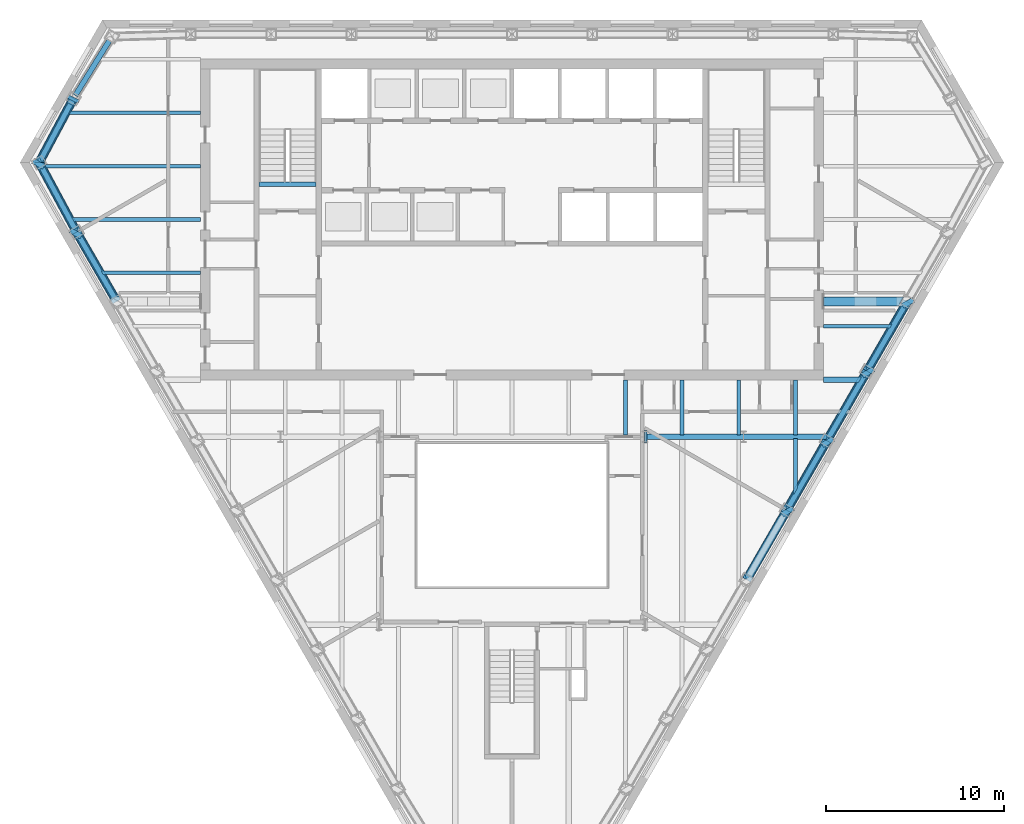
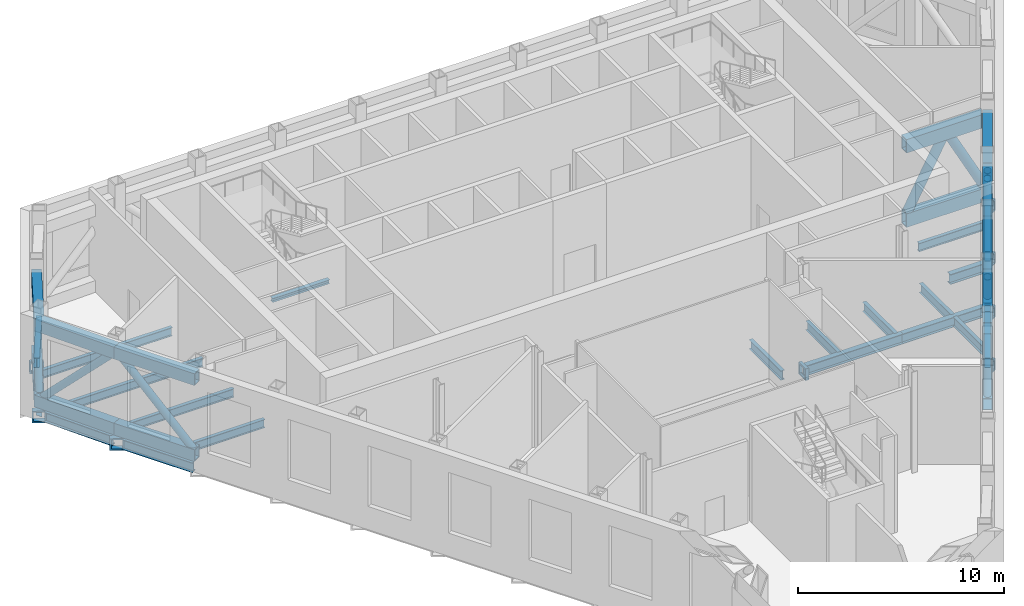
# One storey, part 4 of 15: 29 beams, 25 members.
"""IFC4 building model written with IfcOpenShell, lengths in metres."""

from ifc_helpers import new_model, si_unit, direction, frame, origin, origin_2d, place, context, subcontext, project, spatial, hollow_rectangle, hollow_circle, i_section, extrude, clip, halfspace, material, material_profile, profile_set, type_object, element, save


model = new_model("IFC4")

# Units and contexts
model_context = context("Model", 3, precision=1e-05, world=origin(), true_north=direction((0.0, 1.0)))
body_context = subcontext(model_context, "Body", "Model", "MODEL_VIEW")
ifc_project = project(units=[si_unit("LENGTHUNIT", "METRE"), si_unit("AREAUNIT", "SQUARE_METRE"), si_unit("VOLUMEUNIT", "CUBIC_METRE"), si_unit("PLANEANGLEUNIT", "RADIAN"), si_unit("MASSUNIT", "GRAM", prefix="KILO")], contexts=[model_context])

# Site, building, storey
site_placement = place(None, origin())
site = spatial("IfcSite", under=ifc_project, at=site_placement, CompositionType="ELEMENT")
building_placement = place(site_placement, origin())
building = spatial("IfcBuilding", under=site, at=building_placement, Name="Njiva Tower", CompositionType="ELEMENT")
storey_placement = place(building_placement, frame((0.0, 0.0, 133.8)))
storey = spatial("IfcBuildingStorey", under=building, at=storey_placement, Name="L28", CompositionType="ELEMENT", Elevation=133.8)

# Beams
ifc_material_1 = material(Name="Steel S355 J2", Category="steel")
ifc_material_profile_1 = material_profile(ifc_material_1, hollow_rectangle(XDim=0.7, YDim=0.7, WallThickness=0.08, at=origin_2d()), Name="BOX 700x700x80")
ifc_profile_set_1 = profile_set([ifc_material_profile_1], Name="Steel S355 J2")
beam_type_1 = type_object("IfcBeamType", Name="B19 Column jog beam BOX 700x700x80", PredefinedType="BEAM", material=ifc_profile_set_1)
beam_1_placement = place(storey_placement, frame((-24.689, 15.668, -0.55), z_axis=(0.45494050276, 0.890521835189, 0.0), x_axis=(-0.890521835189, 0.45494050276, 0.0)))
element("IfcBeam", 1, at=beam_1_placement, inside=storey, type_object=beam_type_1, Name="Column jog beam T2-B022", PredefinedType="BEAM", context=body_context, shape_type="SweptSolid", body=[
    extrude(hollow_rectangle(XDim=0.7, YDim=0.7, WallThickness=0.08, at=origin_2d()), origin(), (0.0, 0.0, 1.0), 0.2066),
])
beam_2_placement = place(storey_placement, frame((-26.662, 11.989, -0.55), z_axis=(0.479086844992, 0.877767506209, 0.0), x_axis=(-0.877767506209, 0.479086844992, 0.0)))
element("IfcBeam", 2, at=beam_2_placement, inside=storey, type_object=beam_type_1, Name="Column jog beam T2-B021", PredefinedType="BEAM", context=body_context, shape_type="SweptSolid", body=[
    extrude(hollow_rectangle(XDim=0.7, YDim=0.7, WallThickness=0.08, at=origin_2d()), origin(), (0.0, 0.0, 1.0), 0.2985),
])
beam_3_placement = place(storey_placement, frame((-24.561, 8.085, -0.55), z_axis=(0.480499251108, 0.876995136637, 0.0), x_axis=(-0.876995136637, 0.480499251108, 0.0)))
element("IfcBeam", 3, at=beam_3_placement, inside=storey, type_object=beam_type_1, Name="Column jog beam T2-B023", PredefinedType="BEAM", context=body_context, shape_type="SweptSolid", body=[
    extrude(hollow_rectangle(XDim=0.7, YDim=0.7, WallThickness=0.08, at=origin_2d()), origin(), (0.0, 0.0, 1.0), 0.2976),
])
beam_4_placement = place(storey_placement, frame((15.547, -7.529, -0.55), z_axis=(-0.497961879688, 0.867198919728, 0.0), x_axis=(-0.867198919728, -0.497961879688, 0.0)))
element("IfcBeam", 4, at=beam_4_placement, inside=storey, type_object=beam_type_1, Name="Column jog beam T2-B043", PredefinedType="BEAM", context=body_context, shape_type="SweptSolid", body=[
    extrude(hollow_rectangle(XDim=0.7, YDim=0.7, WallThickness=0.08, at=origin_2d()), origin(), (0.0, 0.0, 1.0), 0.2952),
])
for number, where, z_axis, x_axis, name in (
    (5, (17.801, -3.625, -0.55), (-0.496502633012, 0.868035215537, 0.0), (-0.868035215537, -0.496502633012, 0.0), "Column jog beam T2-B044"),
    (6, (20.055, 0.279, -0.55), (-0.496502633012, 0.868035215537, 0.0), (-0.868035215537, -0.496502633012, 0.0), "Column jog beam T2-B045"),
):
    element("IfcBeam", number, at=place(storey_placement, frame(where, z_axis=z_axis, x_axis=x_axis)), inside=storey, type_object=beam_type_1, Name=name, PredefinedType="BEAM", context=body_context, shape_type="SweptSolid", body=[
        extrude(hollow_rectangle(XDim=0.7, YDim=0.7, WallThickness=0.08, at=origin_2d()), origin(), (0.0, 0.0, 1.0), 0.2961),
    ])
beam_5_placement = place(storey_placement, frame((22.308, 4.183, -0.55), z_axis=(-0.487366159264, 0.873197702015, 0.0), x_axis=(-0.873197702015, -0.487366159264, 0.0)))
element("IfcBeam", 7, at=beam_5_placement, inside=storey, type_object=beam_type_1, Name="Column jog beam T2-B046", PredefinedType="BEAM", context=body_context, shape_type="SweptSolid", body=[
    extrude(hollow_rectangle(XDim=0.7, YDim=0.7, WallThickness=0.08, at=origin_2d()), origin(), (0.0, 0.0, 1.0), 0.2955),
])
beam_6_placement = place(storey_placement, frame((7.57, -3.2, -0.55), z_axis=(-1.0, 0.0, 0.0), x_axis=(0.0, -1.0, 0.0)))
element("IfcBeam", 8, at=beam_6_placement, inside=storey, type_object=beam_type_1, Name="Column jog beam T2-B039", PredefinedType="BEAM", context=body_context, shape_type="SweptSolid", body=[
    extrude(hollow_rectangle(XDim=0.7, YDim=0.7, WallThickness=0.08, at=origin_2d()), origin(), (0.0, 0.0, 1.0), 0.17),
])
ifc_material_profile_2 = material_profile(ifc_material_1, i_section(OverallWidth=0.2, OverallDepth=0.5, WebThickness=0.0102, FlangeThickness=0.016, at=origin_2d()), Name="IPE 500")
ifc_profile_set_2 = profile_set([ifc_material_profile_2], Name="Steel S355 J2")
beam_type_2 = type_object("IfcBeamType", Name="B24 Floor beam to the core IPE 500", PredefinedType="BEAM", material=ifc_profile_set_2)
beam_7_placement = place(storey_placement, frame((-23.085, 6.0, -0.45), z_axis=(1.0, 0.0, 0.0), x_axis=(0.0, 1.0, 0.0)))
element("IfcBeam", 9, at=beam_7_placement, inside=storey, type_object=beam_type_2, Name="Floor beam to the core T2-B005", PredefinedType="BEAM", context=body_context, shape_type="Clipping", body=[
    clip(extrude(i_section(OverallWidth=0.2, OverallDepth=0.5, WebThickness=0.0102, FlangeThickness=0.016, at=origin_2d()), origin(), (0.0, 0.0, 1.0), 5.585), halfspace(frame((-0.025, 0.0, 0.092), z_axis=(-0.499998009787, 0.0, -0.866026552831), x_axis=(0.0, -1.0, 0.0)), False)),
])
beam_8_placement = place(storey_placement, frame((-24.788, 9.0, -0.45), z_axis=(1.0, 0.0, 0.0), x_axis=(0.0, 1.0, 0.0)))
element("IfcBeam", 10, at=beam_8_placement, inside=storey, type_object=beam_type_2, Name="Floor beam to the core T2-B003", PredefinedType="BEAM", context=body_context, shape_type="Clipping", body=[
    clip(extrude(i_section(OverallWidth=0.2, OverallDepth=0.5, WebThickness=0.0102, FlangeThickness=0.016, at=origin_2d()), origin(), (0.0, 0.0, 1.0), 7.288), halfspace(frame((-0.0237, 0.0, 0.0872), z_axis=(-0.473777178452, 0.0, -0.88064475538), x_axis=(0.0, -1.0, 0.0)), False)),
])
beam_9_placement = place(storey_placement, frame((-26.34, 12.0, -0.45), z_axis=(1.0, 0.0, 0.0), x_axis=(0.0, 1.0, 0.0)))
element("IfcBeam", 11, at=beam_9_placement, inside=storey, type_object=beam_type_2, Name="Floor beam to the core T2-B001", PredefinedType="BEAM", context=body_context, shape_type="Clipping", body=[
    clip(extrude(i_section(OverallWidth=0.2, OverallDepth=0.5, WebThickness=0.0102, FlangeThickness=0.016, at=origin_2d()), origin(), (0.0, 0.0, 1.0), 8.84), halfspace(frame((-0.025, 0.0, 0.0921), z_axis=(-0.499998009787, 0.0, -0.866026552831), x_axis=(0.0, -1.0, 0.0)), False)),
])
beam_10_placement = place(storey_placement, frame((-25.009, 15.0, -0.45), z_axis=(1.0, 0.0, 0.0), x_axis=(0.0, 1.0, 0.0)))
element("IfcBeam", 12, at=beam_10_placement, inside=storey, type_object=beam_type_2, Name="Floor beam to the core T2-B002", PredefinedType="BEAM", context=body_context, shape_type="Clipping", body=[
    clip(extrude(i_section(OverallWidth=0.2, OverallDepth=0.5, WebThickness=0.0102, FlangeThickness=0.016, at=origin_2d()), origin(), (0.0, 0.0, 1.0), 7.509), halfspace(frame((0.0236, 0.0, 0.0856), z_axis=(0.471502520282, 0.0, -0.881864713756), x_axis=(0.0, -1.0, 0.0)), False)),
])
ifc_material_profile_3 = material_profile(ifc_material_1, i_section(OverallWidth=0.2, OverallDepth=0.5, WebThickness=0.0102, FlangeThickness=0.016, at=origin_2d()), Name="IPE 500")
ifc_profile_set_3 = profile_set([ifc_material_profile_3], Name="Steel S355 J2")
beam_type_3 = type_object("IfcBeamType", Name="B25 Short-span floor beam to the core IPE 500", PredefinedType="BEAM", material=ifc_profile_set_3)
beam_11_placement = place(storey_placement, frame((17.5, 3.0, -0.45), z_axis=(1.0, 0.0, 0.0), x_axis=(0.0, 1.0, 0.0)))
element("IfcBeam", 13, at=beam_11_placement, inside=storey, type_object=beam_type_3, Name="Short-span floor beam to the core T2-B007", PredefinedType="BEAM", context=body_context, shape_type="Clipping", body=[
    clip(extrude(i_section(OverallWidth=0.2, OverallDepth=0.5, WebThickness=0.0102, FlangeThickness=0.016, at=origin_2d()), origin(), (0.0, 0.0, 1.0), 3.853), halfspace(frame((-0.025, 0.0, 3.7609), z_axis=(-0.499998009787, 0.0, 0.866026552831), x_axis=(0.0, 1.0, 0.0)), False)),
])
ifc_material_profile_4 = material_profile(ifc_material_1, i_section(OverallWidth=0.3, OverallDepth=0.59, WebThickness=0.013, FlangeThickness=0.025, at=origin_2d()), Name="HEA 600")
ifc_profile_set_4 = profile_set([ifc_material_profile_4], Name="Steel S355 J2")
beam_type_4 = type_object("IfcBeamType", Name="B27 Short-span spandrel beam HEA 600", PredefinedType="SPANDREL", material=ifc_profile_set_4)
beam_12_placement = place(storey_placement, frame((-22.612, 19.032, -0.495), z_axis=(-0.528058140476, -0.849208219624, 0.0), x_axis=(0.849208219624, -0.528058140476, 0.0)))
element("IfcBeam", 14, at=beam_12_placement, inside=storey, type_object=beam_type_4, Name="Short-span spandrel beam T2-B080", PredefinedType="SPANDREL", context=body_context, shape_type="SweptSolid", body=[
    extrude(i_section(OverallWidth=0.3, OverallDepth=0.59, WebThickness=0.013, FlangeThickness=0.025, at=origin_2d()), origin(), (0.0, 0.0, 1.0), 3.6151),
])
beam_13_placement = place(storey_placement, frame((-24.795, 15.476, -0.495), z_axis=(-0.471437841785, -0.881899292058, 0.0), x_axis=(0.881899292058, -0.471437841785, 0.0)))
element("IfcBeam", 15, at=beam_13_placement, inside=storey, type_object=beam_type_4, Name="Short-span spandrel beam T2-B078", PredefinedType="SPANDREL", context=body_context, shape_type="Clipping", body=[
    clip(extrude(i_section(OverallWidth=0.3, OverallDepth=0.59, WebThickness=0.013, FlangeThickness=0.025, at=origin_2d()), origin(), (0.0, 0.0, 1.0), 3.6554), halfspace(frame((-0.0266, 0.0, 3.5264), z_axis=(-0.528030221215, 0.0, 0.849225579857), x_axis=(0.0, 1.0, 0.0)), False)),
])
beam_14_placement = place(storey_placement, frame((-26.372, 11.871, -0.495), z_axis=(0.473945962598, -0.88055393051, 0.0), x_axis=(0.88055393051, 0.473945962598, 0.0)))
element("IfcBeam", 16, at=beam_14_placement, inside=storey, type_object=beam_type_4, Name="Short-span spandrel beam T2-B079", PredefinedType="SPANDREL", context=body_context, shape_type="SweptSolid", body=[
    extrude(i_section(OverallWidth=0.3, OverallDepth=0.59, WebThickness=0.013, FlangeThickness=0.025, at=origin_2d()), origin(), (0.0, 0.0, 1.0), 3.876),
])
beam_15_placement = place(storey_placement, frame((-24.263, 7.976, -0.495), z_axis=(0.499890179513, -0.866088799389, 0.0), x_axis=(0.866088799389, 0.499890179513, 0.0)))
element("IfcBeam", 17, at=beam_15_placement, inside=storey, type_object=beam_type_4, Name="Short-span spandrel beam T2-B081", PredefinedType="SPANDREL", context=body_context, shape_type="SweptSolid", body=[
    extrude(i_section(OverallWidth=0.3, OverallDepth=0.59, WebThickness=0.013, FlangeThickness=0.025, at=origin_2d()), origin(), (0.0, 0.0, 1.0), 3.9569),
])
for number, where, z_axis, x_axis, name in (
    (18, (15.523, -7.163, -0.495), (0.499970304126, 0.866042548026, 0.0), (-0.866042548026, 0.499970304126, 0.0), "Short-span spandrel beam T2-B106"),
    (19, (17.777, -3.259, -0.495), (0.499970304126, 0.866042548026, 0.0), (-0.866042548026, 0.499970304126, 0.0), "Short-span spandrel beam T2-B107"),
    (20, (20.031, 0.645, -0.495), (0.499970304126, 0.866042548026, 0.0), (-0.866042548026, 0.499970304126, 0.0), "Short-span spandrel beam T2-B109"),
):
    element("IfcBeam", number, at=place(storey_placement, frame(where, z_axis=z_axis, x_axis=x_axis)), inside=storey, type_object=beam_type_4, Name=name, PredefinedType="SPANDREL", context=body_context, shape_type="SweptSolid", body=[
        extrude(i_section(OverallWidth=0.3, OverallDepth=0.59, WebThickness=0.013, FlangeThickness=0.025, at=origin_2d()), origin(), (0.0, 0.0, 1.0), 3.9582),
    ])
ifc_material_profile_5 = material_profile(ifc_material_1, i_section(OverallWidth=0.3, OverallDepth=0.59, WebThickness=0.013, FlangeThickness=0.025, at=origin_2d()), Name="HEA 600")
ifc_profile_set_5 = profile_set([ifc_material_profile_5], Name="Steel S355 J2")
beam_type_5 = type_object("IfcBeamType", Name="B28 Floor girder HEA 600", PredefinedType="BEAM", material=ifc_profile_set_5)
beam_16_placement = place(storey_placement, frame((7.46, -3.2, -0.495), z_axis=(1.0, 0.0, 0.0), x_axis=(0.0, 1.0, 0.0)))
element("IfcBeam", 21, at=beam_16_placement, inside=storey, type_object=beam_type_5, Name="Floor girder T2-B018", PredefinedType="BEAM", context=body_context, shape_type="SweptSolid", body=[
    extrude(i_section(OverallWidth=0.3, OverallDepth=0.59, WebThickness=0.013, FlangeThickness=0.025, at=origin_2d()), origin(), (0.0, 0.0, 1.0), 5.54),
])
beam_17_placement = place(storey_placement, frame((13.0, -3.2, -0.495), z_axis=(1.0, 0.0, 0.0), x_axis=(0.0, 1.0, 0.0)))
element("IfcBeam", 22, at=beam_17_placement, inside=storey, type_object=beam_type_5, Name="Floor girder T2-B019", PredefinedType="BEAM", context=body_context, shape_type="Clipping", body=[
    clip(extrude(i_section(OverallWidth=0.3, OverallDepth=0.59, WebThickness=0.013, FlangeThickness=0.025, at=origin_2d()), origin(), (0.0, 0.0, 1.0), 4.803), halfspace(frame((-0.025, 0.0, 4.6813), z_axis=(-0.499998009787, 0.0, 0.866026552831), x_axis=(0.0, 1.0, 0.0)), False)),
])
ifc_material_profile_6 = material_profile(ifc_material_1, i_section(OverallWidth=0.3, OverallDepth=0.59, WebThickness=0.013, FlangeThickness=0.025, at=origin_2d()), Name="HEA 600")
ifc_profile_set_6 = profile_set([ifc_material_profile_6], Name="Steel S355 J2")
beam_type_6 = type_object("IfcBeamType", Name="B29 Short-span floor girder HEA 600", PredefinedType="BEAM", material=ifc_profile_set_6)
beam_18_placement = place(storey_placement, frame((17.5, 0.0, -0.495), z_axis=(1.0, 0.0, 0.0), x_axis=(0.0, 1.0, 0.0)))
element("IfcBeam", 23, at=beam_18_placement, inside=storey, type_object=beam_type_6, Name="Short-span floor girder T2-B020", PredefinedType="BEAM", context=body_context, shape_type="Clipping", body=[
    clip(extrude(i_section(OverallWidth=0.3, OverallDepth=0.59, WebThickness=0.013, FlangeThickness=0.025, at=origin_2d()), origin(), (0.0, 0.0, 1.0), 2.15), halfspace(frame((-0.025, 0.0, 2.0289), z_axis=(-0.499998009787, 0.0, 0.866026552831), x_axis=(0.0, 1.0, 0.0)), False)),
])
ifc_material_profile_7 = material_profile(ifc_material_1, i_section(OverallWidth=0.21, OverallDepth=0.55, WebThickness=0.0111, FlangeThickness=0.0172, at=origin_2d()), Name="IPE 550")
ifc_profile_set_7 = profile_set([ifc_material_profile_7], Name="Steel S355 J2")
beam_type_7 = type_object("IfcBeamType", Name="B31 Short-span floor joist IPE 550", PredefinedType="JOIST", material=ifc_profile_set_7)
beam_19_placement = place(storey_placement, frame((6.367, -0.005, -0.475), z_axis=(0.0, -1.0, 0.0), x_axis=(1.0, 0.0, 0.0)))
element("IfcBeam", 24, at=beam_19_placement, inside=storey, type_object=beam_type_7, Name="Short-span floor joist T2-B066", PredefinedType="JOIST", context=body_context, shape_type="SweptSolid", body=[
    extrude(i_section(OverallWidth=0.21, OverallDepth=0.55, WebThickness=0.0111, FlangeThickness=0.0172, at=origin_2d()), origin(), (0.0, 0.0, 1.0), 3.094),
])
for number, where, z_axis, x_axis, name in (
    (25, (9.55, -0.005, -0.475), (0.0, -1.0, 0.0), (1.0, 0.0, 0.0), "Short-span floor joist T2-B069"),
    (26, (12.733, -0.005, -0.475), (0.0, -1.0, 0.0), (1.0, 0.0, 0.0), "Short-span floor joist T2-B071"),
    (27, (15.917, -0.005, -0.475), (0.0, -1.0, 0.0), (1.0, 0.0, 0.0), "Short-span floor joist T2-B073"),
):
    element("IfcBeam", number, at=place(storey_placement, frame(where, z_axis=z_axis, x_axis=x_axis)), inside=storey, type_object=beam_type_7, Name=name, PredefinedType="JOIST", context=body_context, shape_type="SweptSolid", body=[
        extrude(i_section(OverallWidth=0.21, OverallDepth=0.55, WebThickness=0.0111, FlangeThickness=0.0172, at=origin_2d()), origin(), (0.0, 0.0, 1.0), 3.095),
    ])
beam_20_placement = place(storey_placement, frame((15.917, -3.3, -0.475), z_axis=(0.0, -1.0, 0.0), x_axis=(1.0, 0.0, 0.0)))
element("IfcBeam", 28, at=beam_20_placement, inside=storey, type_object=beam_type_7, Name="Short-span floor joist T2-B072", PredefinedType="JOIST", context=body_context, shape_type="Clipping", body=[
    clip(extrude(i_section(OverallWidth=0.21, OverallDepth=0.55, WebThickness=0.0111, FlangeThickness=0.0172, at=origin_2d()), origin(), (0.0, 0.0, 1.0), 3.184), halfspace(frame((0.043, 0.0, 2.9065), z_axis=(0.866026552831, 0.0, 0.499998009787), x_axis=(0.0, 1.0, 0.0)), False)),
])
ifc_material_profile_8 = material_profile(ifc_material_1, i_section(OverallWidth=0.24, OverallDepth=0.23, WebThickness=0.0075, FlangeThickness=0.012, at=origin_2d()), Name="HEA240")
ifc_profile_set_8 = profile_set([ifc_material_profile_8], Name="Steel S355 J2")
beam_type_8 = type_object("IfcBeamType", Name="FL8 Landing beam HEA 240", PredefinedType="BEAM", material=ifc_profile_set_8)
beam_21_placement = place(storey_placement, frame((-14.206, 10.98, 2.685), z_axis=(1.0, 0.0, 0.0), x_axis=(0.0, 1.0, 0.0)))
element("IfcBeam", 29, at=beam_21_placement, inside=storey, type_object=beam_type_8, Name="Landing beam", PredefinedType="BEAM", context=body_context, shape_type="SweptSolid", body=[
    extrude(i_section(OverallWidth=0.24, OverallDepth=0.23, WebThickness=0.0075, FlangeThickness=0.012, at=origin_2d()), origin(), (0.0, 0.0, 1.0), 3.212),
])

# Members
ifc_material_profile_9 = material_profile(ifc_material_1, hollow_rectangle(XDim=0.5, YDim=0.8, WallThickness=0.05, at=origin_2d()), Name="BOX 800x500x50")
ifc_profile_set_9 = profile_set([ifc_material_profile_9], Name="Steel S355 J2")
member_type_1 = type_object("IfcMemberType", Name="OR1 Outrigger truss chord BOX 800x500x50", PredefinedType="CHORD", material=ifc_profile_set_9)
for number, where, z_axis, x_axis, name in (
    (30, (17.5, 4.389, 0.4), (1.0, 0.0, 0.0), (0.0, 1.0, 0.0), "Outrigger truss chord T2-TR113"),
    (31, (17.5, 4.389, 4.81), (1.0, 0.0, 0.0), (0.0, 1.0, 0.0), "Outrigger truss chord T2-TR114"),
):
    element("IfcMember", number, at=place(storey_placement, frame(where, z_axis=z_axis, x_axis=x_axis)), inside=storey, type_object=member_type_1, Name=name, PredefinedType="CHORD", context=body_context, shape_type="Clipping", body=[
        clip(extrude(hollow_rectangle(XDim=0.5, YDim=0.8, WallThickness=0.05, at=origin_2d()), origin(), (0.0, 0.0, 1.0), 4.867), halfspace(frame((-0.025, 0.0, 4.3322), z_axis=(-0.499998009787, 0.0, 0.866026552831), x_axis=(0.0, 1.0, 0.0)), False)),
    ])
ifc_material_2 = material(Name="Steel S355 J2H", Category="steel")
ifc_material_profile_10 = material_profile(ifc_material_2, hollow_circle(Radius=0.254, WallThickness=0.016, at=origin_2d()), Name="CHS 508x16")
ifc_profile_set_10 = profile_set([ifc_material_profile_10], Name="Steel S355 J2H")
member_type_2 = type_object("IfcMemberType", Name="OR2 Outrigger truss diagonal CHS 508x16", PredefinedType="BRACE", material=ifc_profile_set_10)
member_1_placement = place(storey_placement, frame((17.2609, 4.389, -0.0494), z_axis=(0.469652813312, 0.0, 0.882851196379), x_axis=(0.0, 1.0, 0.0)))
element("IfcMember", 32, at=member_1_placement, inside=storey, type_object=member_type_2, Name="Outrigger truss diagonal T2-TR115", PredefinedType="BRACE", context=body_context, shape_type="Clipping", body=[
    clip(clip(clip(extrude(hollow_circle(Radius=0.254, WallThickness=0.016, at=origin_2d()), origin(), (0.0, 0.0, 1.0), 5.6702), halfspace(frame((-4.389, 15.6331, -7.3656), z_axis=(0.0, -0.469652813312, -0.882851196379), x_axis=(0.0, -0.882851196379, 0.469652813312)), False)), halfspace(frame((0.0, -63.0274, -117.9696), z_axis=(0.0, 0.882851196379, -0.469652813312), x_axis=(0.0, -0.469652813312, -0.882851196379)), False)), halfspace(frame((-4.389, 17.3379, -4.1609), z_axis=(0.0, 0.469652813312, 0.882851196379), x_axis=(0.0, 0.882851196379, -0.469652813312)), False)),
])
member_2_placement = place(storey_placement, frame((19.768, 4.389, 4.9565), z_axis=(0.469808826994, 0.0, -0.882768183658), x_axis=(0.0, 1.0, 0.0)))
element("IfcMember", 33, at=member_2_placement, inside=storey, type_object=member_type_2, Name="Outrigger truss diagonal T2-TR116", PredefinedType="BRACE", context=body_context, shape_type="Clipping", body=[
    clip(clip(clip(extrude(hollow_circle(Radius=0.254, WallThickness=0.016, at=origin_2d()), origin(), (0.0, 0.0, 1.0), 5.7646), halfspace(frame((-4.389, -17.7026, -8.8135), z_axis=(0.0, 0.469808826994, -0.882768183658), x_axis=(0.0, -0.882768183658, -0.469808826994)), False)), halfspace(frame((-4.389, -19.408, -5.6091), z_axis=(0.0, -0.469808826994, 0.882768183658), x_axis=(0.0, 0.882768183658, 0.469808826994)), False)), halfspace(frame((-0.025, -0.3185, 4.9921), z_axis=(-0.499998009787, 0.764500687042, 0.406866918932), x_axis=(0.0, 0.469808826994, -0.882768183658)), False)),
])
ifc_material_profile_11 = material_profile(ifc_material_1, hollow_rectangle(XDim=0.5, YDim=0.7, WallThickness=0.04, at=origin_2d()), Name="BOX 700x500x40")
ifc_profile_set_11 = profile_set([ifc_material_profile_11], Name="Steel S355 J2")
member_type_3 = type_object("IfcMemberType", Name="TC2 Belt truss chord BOX 700x500x40", PredefinedType="CHORD", material=ifc_profile_set_11)
member_3_placement = place(storey_placement, frame((-24.6041, 15.8325, 0.35), z_axis=(-0.471630110482, -0.881796483825, 0.0), x_axis=(0.881796483825, -0.471630110482, 0.0)))
element("IfcMember", 34, at=member_3_placement, inside=storey, type_object=member_type_3, Name="Belt truss chord T2-TR034", PredefinedType="CHORD", context=body_context, shape_type="Clipping", body=[
    clip(clip(extrude(hollow_rectangle(XDim=0.5, YDim=0.7, WallThickness=0.04, at=origin_2d()), origin(), (0.0, 0.0, 1.0), 4.2857), halfspace(frame((0.0, -134.15, 0.038), z_axis=(0.032532867016, 0.0, -0.999470666185), x_axis=(0.0, -1.0, 0.0)), False)), halfspace(frame((0.0, -134.15, 4.1217), z_axis=(0.472714362573, 0.0, 0.881215712194), x_axis=(0.0, 1.0, 0.0)), False)),
])
member_4_placement = place(storey_placement, frame((-24.6041, 15.8325, 4.86), z_axis=(-0.471630110482, -0.881796483825, 0.0), x_axis=(0.881796483825, -0.471630110482, 0.0)))
element("IfcMember", 35, at=member_4_placement, inside=storey, type_object=member_type_3, Name="Belt truss chord T2-TR035", PredefinedType="CHORD", context=body_context, shape_type="Clipping", body=[
    clip(clip(extrude(hollow_rectangle(XDim=0.5, YDim=0.7, WallThickness=0.04, at=origin_2d()), origin(), (0.0, 0.0, 1.0), 4.2857), halfspace(frame((0.0, -138.66, 0.038), z_axis=(0.032532867016, 0.0, -0.999470666185), x_axis=(0.0, -1.0, 0.0)), False)), halfspace(frame((0.0, -138.66, 4.1217), z_axis=(0.472714362573, 0.0, 0.881215712194), x_axis=(0.0, 1.0, 0.0)), False)),
])
member_5_placement = place(storey_placement, frame((-26.6257, 12.3424, 0.35), z_axis=(0.473803939062, -0.880630357942, 0.0), x_axis=(0.880630357942, 0.473803939062, 0.0)))
element("IfcMember", 36, at=member_5_placement, inside=storey, type_object=member_type_3, Name="Belt truss chord T2-TR037", PredefinedType="CHORD", context=body_context, shape_type="Clipping", body=[
    clip(clip(extrude(hollow_rectangle(XDim=0.5, YDim=0.7, WallThickness=0.04, at=origin_2d()), origin(), (0.0, 0.0, 1.0), 4.6323), halfspace(frame((0.0, -134.15, 0.164), z_axis=(0.472720406132, 0.0, -0.881212470194), x_axis=(0.0, -1.0, 0.0)), False)), halfspace(frame((0.0, -134.15, 4.5983), z_axis=(0.015001978621, 0.0, 0.999887463987), x_axis=(0.0, 1.0, 0.0)), False)),
])
member_6_placement = place(storey_placement, frame((-26.6257, 12.3424, 4.86), z_axis=(0.473803939062, -0.880630357942, 0.0), x_axis=(0.880630357942, 0.473803939062, 0.0)))
element("IfcMember", 37, at=member_6_placement, inside=storey, type_object=member_type_3, Name="Belt truss chord T2-TR038", PredefinedType="CHORD", context=body_context, shape_type="Clipping", body=[
    clip(clip(extrude(hollow_rectangle(XDim=0.5, YDim=0.7, WallThickness=0.04, at=origin_2d()), origin(), (0.0, 0.0, 1.0), 4.6323), halfspace(frame((0.0, -138.66, 0.164), z_axis=(0.472720406132, 0.0, -0.881212470194), x_axis=(0.0, -1.0, 0.0)), False)), halfspace(frame((0.0, -138.66, 4.5983), z_axis=(0.015001978621, 0.0, 0.999887463987), x_axis=(0.0, 1.0, 0.0)), False)),
])
member_7_placement = place(storey_placement, frame((-24.464, 8.3224, 0.35), z_axis=(0.500004084281, -0.866023045711, 0.0), x_axis=(0.866023045711, 0.500004084281, 0.0)))
element("IfcMember", 38, at=member_7_placement, inside=storey, type_object=member_type_3, Name="Belt truss chord T2-TR040", PredefinedType="CHORD", context=body_context, shape_type="Clipping", body=[
    clip(extrude(hollow_rectangle(XDim=0.5, YDim=0.7, WallThickness=0.04, at=origin_2d()), origin(), (0.0, 0.0, 1.0), 4.542), halfspace(frame((0.0, -134.15, 0.034), z_axis=(0.0149950409, 0.0, -0.999887568054), x_axis=(0.0, -1.0, 0.0)), False)),
])
member_8_placement = place(storey_placement, frame((-24.464, 8.3224, 4.86), z_axis=(0.500004084281, -0.866023045711, 0.0), x_axis=(0.866023045711, 0.500004084281, 0.0)))
element("IfcMember", 39, at=member_8_placement, inside=storey, type_object=member_type_3, Name="Belt truss chord T2-TR041", PredefinedType="CHORD", context=body_context, shape_type="Clipping", body=[
    clip(extrude(hollow_rectangle(XDim=0.5, YDim=0.7, WallThickness=0.04, at=origin_2d()), origin(), (0.0, 0.0, 1.0), 4.542), halfspace(frame((0.0, -138.66, 0.034), z_axis=(0.0149950409, 0.0, -0.999887568054), x_axis=(0.0, -1.0, 0.0)), False)),
])
for number, where, z_axis, x_axis, name in (
    (40, (13.175, -11.23, 0.35), (0.500074377092, 0.865982457891, 0.0), (-0.865982457891, 0.500074377092, 0.0), "Belt truss chord T2-TR085"),
    (41, (13.175, -11.23, 4.86), (0.500074377092, 0.865982457891, 0.0), (-0.865982457891, 0.500074377092, 0.0), "Belt truss chord T2-TR086"),
):
    element("IfcMember", number, at=place(storey_placement, frame(where, z_axis=z_axis, x_axis=x_axis)), inside=storey, type_object=member_type_3, Name=name, PredefinedType="CHORD", context=body_context, shape_type="SweptSolid", body=[
        extrude(hollow_rectangle(XDim=0.5, YDim=0.7, WallThickness=0.04, at=origin_2d()), origin(), (0.0, 0.0, 1.0), 4.5093),
    ])
for number, where, z_axis, x_axis, name in (
    (42, (15.43, -7.325, 0.35), (0.499908044067, 0.866078488058, 0.0), (-0.866078488058, 0.499908044067, 0.0), "Belt truss chord T2-TR088"),
    (43, (15.43, -7.325, 4.86), (0.499908044067, 0.866078488058, 0.0), (-0.866078488058, 0.499908044067, 0.0), "Belt truss chord T2-TR089"),
):
    element("IfcMember", number, at=place(storey_placement, frame(where, z_axis=z_axis, x_axis=x_axis)), inside=storey, type_object=member_type_3, Name=name, PredefinedType="CHORD", context=body_context, shape_type="SweptSolid", body=[
        extrude(hollow_rectangle(XDim=0.5, YDim=0.7, WallThickness=0.04, at=origin_2d()), origin(), (0.0, 0.0, 1.0), 4.5088),
    ])
for number, where, z_axis, x_axis, name in (
    (44, (17.684, -3.42, 0.35), (0.500004084281, 0.866023045711, 0.0), (-0.866023045711, 0.500004084281, 0.0), "Belt truss chord T2-TR091"),
    (45, (17.684, -3.42, 4.86), (0.500004084281, 0.866023045711, 0.0), (-0.866023045711, 0.500004084281, 0.0), "Belt truss chord T2-TR092"),
):
    element("IfcMember", number, at=place(storey_placement, frame(where, z_axis=z_axis, x_axis=x_axis)), inside=storey, type_object=member_type_3, Name=name, PredefinedType="CHORD", context=body_context, shape_type="SweptSolid", body=[
        extrude(hollow_rectangle(XDim=0.5, YDim=0.7, WallThickness=0.04, at=origin_2d()), origin(), (0.0, 0.0, 1.0), 4.508),
    ])
for number, where, z_axis, x_axis, name in (
    (46, (19.938, 0.484, 0.35), (0.500074377092, 0.865982457891, 0.0), (-0.865982457891, 0.500074377092, 0.0), "Belt truss chord T2-TR094"),
    (47, (19.938, 0.484, 4.86), (0.500074377092, 0.865982457891, 0.0), (-0.865982457891, 0.500074377092, 0.0), "Belt truss chord T2-TR095"),
):
    element("IfcMember", number, at=place(storey_placement, frame(where, z_axis=z_axis, x_axis=x_axis)), inside=storey, type_object=member_type_3, Name=name, PredefinedType="CHORD", context=body_context, shape_type="SweptSolid", body=[
        extrude(hollow_rectangle(XDim=0.5, YDim=0.7, WallThickness=0.04, at=origin_2d()), origin(), (0.0, 0.0, 1.0), 4.5093),
    ])
ifc_material_profile_12 = material_profile(ifc_material_2, hollow_circle(Radius=0.2032, WallThickness=0.016, at=origin_2d()), Name="CHS 406.4x16")
ifc_profile_set_12 = profile_set([ifc_material_profile_12], Name="Steel S355 J2H")
member_type_4 = type_object("IfcMemberType", Name="TD2 Belt truss diagonal CHS 406.4x16", PredefinedType="BRACE", material=ifc_profile_set_12)
member_9_placement = place(storey_placement, frame((-24.5536, 15.9268, 5.0201), z_axis=(-0.316560688242, -0.591866582742, -0.741271393548), x_axis=(0.881796483825, -0.471630110482, 0.0)))
element("IfcMember", 48, at=member_9_placement, inside=storey, type_object=member_type_4, Name="Belt truss diagonal T2-TR036", PredefinedType="BRACE", context=body_context, shape_type="Clipping", body=[
    clip(clip(extrude(hollow_circle(Radius=0.2032, WallThickness=0.016, at=origin_2d()), origin(), (0.0, 0.0, 1.0), 6.5161), halfspace(frame((29.1629, 1.4908, 2.0246), z_axis=(0.0, 0.671205423926, -0.741271393548), x_axis=(0.0, -0.741271393548, -0.671205423926)), False)), halfspace(frame((29.1629, -1.0799, 4.8636), z_axis=(0.0, -0.671205423926, 0.741271393548), x_axis=(0.0, 0.741271393548, 0.671205423926)), False)),
])
member_10_placement = place(storey_placement, frame((-26.6251, 12.3412, 0.1846), z_axis=(0.33218345796, -0.6174090449, 0.71306396735), x_axis=(0.880630357942, 0.473803939062, 0.0)))
element("IfcMember", 49, at=member_10_placement, inside=storey, type_object=member_type_4, Name="Belt truss diagonal T2-TR039", PredefinedType="BRACE", context=body_context, shape_type="Clipping", body=[
    clip(clip(extrude(hollow_circle(Radius=0.2032, WallThickness=0.016, at=origin_2d()), origin(), (0.0, 0.0, 1.0), 6.7888), halfspace(frame((17.5995, -16.3906, 16.8244), z_axis=(0.0, -0.70109897908, -0.71306396735), x_axis=(0.0, -0.71306396735, 0.70109897908)), False)), halfspace(frame((17.5995, -13.7054, 19.5554), z_axis=(0.0, 0.70109897908, 0.71306396735), x_axis=(0.0, 0.71306396735, -0.70109897908)), False)),
])
member_11_placement = place(storey_placement, frame((-24.5301, 8.4369, 5.0262), z_axis=(0.353476414343, -0.612232440815, -0.707266472355), x_axis=(0.866023045711, 0.500004084281, 0.0)))
element("IfcMember", 50, at=member_11_placement, inside=storey, type_object=member_type_4, Name="Belt truss diagonal T2-TR042", PredefinedType="BRACE", context=body_context, shape_type="Clipping", body=[
    clip(clip(extrude(hollow_circle(Radius=0.2032, WallThickness=0.016, at=origin_2d()), origin(), (0.0, 0.0, 1.0), 6.8467), halfspace(frame((17.0251, 13.4845, 14.1942), z_axis=(0.0, 0.706947053946, -0.707266472355), x_axis=(0.0, -0.707266472355, -0.706947053946)), False)), halfspace(frame((17.0251, 10.7769, 16.903), z_axis=(0.0, -0.706947053946, 0.707266472355), x_axis=(0.0, 0.707266472355, 0.706947053946)), False)),
])
member_12_placement = place(storey_placement, frame((13.0919, -11.3739, 0.1838), z_axis=(0.353579683933, 0.612296525835, 0.707159367866), x_axis=(-0.865982457891, 0.500074377092, 0.0)))
element("IfcMember", 51, at=member_12_placement, inside=storey, type_object=member_type_4, Name="Belt truss diagonal T2-TR087", PredefinedType="BRACE", context=body_context, shape_type="Clipping", body=[
    clip(clip(extrude(hollow_circle(Radius=0.2032, WallThickness=0.016, at=origin_2d()), origin(), (0.0, 0.0, 1.0), 6.8476), halfspace(frame((17.0252, -1.9776, 2.6931), z_axis=(0.0, -0.707054190596, -0.707159367866), x_axis=(0.0, -0.707159367866, 0.707054190596)), False)), halfspace(frame((17.0252, 0.7304, 5.4015), z_axis=(0.0, 0.707054190596, 0.707159367866), x_axis=(0.0, 0.707159367866, -0.707054190596)), False)),
])
member_13_placement = place(storey_placement, frame((15.3469, -7.4689, 5.0262), z_axis=(0.353442477114, 0.612330467228, -0.707198567784), x_axis=(-0.866078488058, 0.499908044067, 0.0)))
element("IfcMember", 52, at=member_13_placement, inside=storey, type_object=member_type_4, Name="Belt truss diagonal T2-TR090", PredefinedType="BRACE", context=body_context, shape_type="Clipping", body=[
    clip(clip(extrude(hollow_circle(Radius=0.2032, WallThickness=0.016, at=origin_2d()), origin(), (0.0, 0.0, 1.0), 6.8473), halfspace(frame((17.0254, -1.2089, -0.4928), z_axis=(0.0, 0.707014982673, -0.707198567784), x_axis=(0.0, -0.707198567784, -0.707014982673)), False)), halfspace(frame((17.0254, -3.9168, 2.2157), z_axis=(0.0, -0.707014982673, 0.707198567784), x_axis=(0.0, 0.707198567784, 0.707014982673)), False)),
])
member_14_placement = place(storey_placement, frame((17.6009, -3.5639, 0.1838), z_axis=(0.353476414343, 0.612232440815, 0.707266472355), x_axis=(-0.866023045711, 0.500004084281, 0.0)))
element("IfcMember", 53, at=member_14_placement, inside=storey, type_object=member_type_4, Name="Belt truss diagonal T2-TR093", PredefinedType="BRACE", context=body_context, shape_type="Clipping", body=[
    clip(clip(extrude(hollow_circle(Radius=0.2032, WallThickness=0.016, at=origin_2d()), origin(), (0.0, 0.0, 1.0), 6.8467), halfspace(frame((17.0248, 4.3993, -3.6816), z_axis=(0.0, -0.706947053946, -0.707266472355), x_axis=(0.0, -0.707266472355, 0.706947053946)), False)), halfspace(frame((17.0248, 7.1069, -0.9727), z_axis=(0.0, 0.706947053946, 0.707266472355), x_axis=(0.0, 0.707266472355, -0.706947053946)), False)),
])
member_15_placement = place(storey_placement, frame((19.8549, 0.3401, 5.0262), z_axis=(0.353579683933, 0.612296525835, -0.707159367866), x_axis=(-0.865982457891, 0.500074377092, 0.0)))
element("IfcMember", 54, at=member_15_placement, inside=storey, type_object=member_type_4, Name="Belt truss diagonal T2-TR096", PredefinedType="BRACE", context=body_context, shape_type="Clipping", body=[
    clip(clip(extrude(hollow_circle(Radius=0.2032, WallThickness=0.016, at=origin_2d()), origin(), (0.0, 0.0, 1.0), 6.8476), halfspace(frame((17.0239, -7.5875, -6.8706), z_axis=(0.0, 0.707054190596, -0.707159367866), x_axis=(0.0, -0.707159367866, -0.707054190596)), False)), halfspace(frame((17.0239, -10.2955, -4.1622), z_axis=(0.0, -0.707054190596, 0.707159367866), x_axis=(0.0, 0.707159367866, 0.707054190596)), False)),
])

save(model, "model.ifc")
